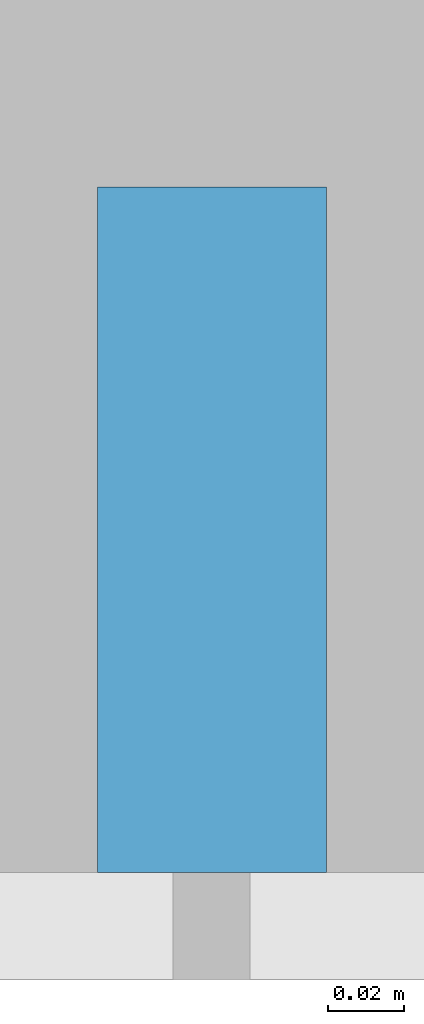
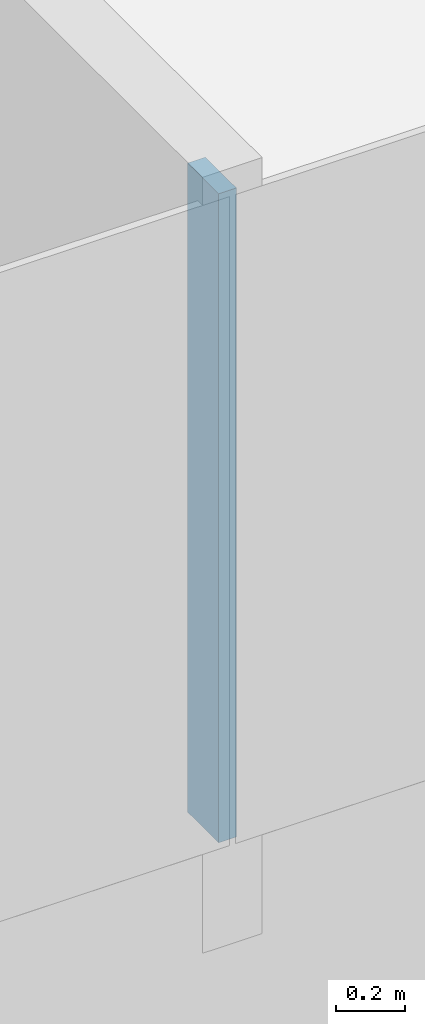
# One storey, part 3 of 26: 1 member, 1 element without a shape of its own.
"""IFC4 building model written with IfcOpenShell, lengths in metres."""

from ifc_helpers import new_model, si_unit, direction, frame, origin, origin_2d, place, context, subcontext, project, spatial, rectangle, extrude, material, layer, layer_set, material_profile, profile_set, type_object, element, aggregate, save


model = new_model("IFC4")

# Units and contexts
model_context = context("Model", 3, precision=1e-05, world=origin(), true_north=direction((0.0, 1.0)))
body_context = subcontext(model_context, "Body", "Model", "MODEL_VIEW")
ifc_project = project(units=[si_unit("LENGTHUNIT", "METRE"), si_unit("AREAUNIT", "SQUARE_METRE"), si_unit("VOLUMEUNIT", "CUBIC_METRE"), si_unit("PLANEANGLEUNIT", "RADIAN"), si_unit("MASSUNIT", "GRAM", prefix="KILO")], contexts=[model_context])

# Site, building, storey
site_placement = place(None, origin())
site = spatial("IfcSite", under=ifc_project, at=site_placement, CompositionType="ELEMENT")
building_placement = place(site_placement, origin())
building = spatial("IfcBuilding", under=site, at=building_placement, Name="Hakoniwa Tower and Hamabe Station Hall", CompositionType="ELEMENT")
storey_placement = place(building_placement, frame((0.0, 0.0, 140.60009765625)))
storey = spatial("IfcBuildingStorey", under=building, at=storey_placement, Name="L39", CompositionType="ELEMENT", Elevation=140.60009765625)

# Curtain wall, member
ifc_material_1 = material(Name="Dark low-e laminated glass", Category="glass")
ifc_layer = layer(ifc_material_1, 0.199951171875)
ifc_layer_set = layer_set([ifc_layer], Name="CW-1 UNITISED GUEST")
curtain_wall_type = type_object("IfcCurtainWallType", Name="CW-1 UNITISED GUEST", PredefinedType="NOTDEFINED", material=ifc_layer_set)
curtain_wall_placement = place(storey_placement, origin())
curtain_wall = element("IfcCurtainWall", 1, at=curtain_wall_placement, inside=storey, type_object=curtain_wall_type, Name="CW-1 curtain wall", PredefinedType="NOTDEFINED")
ifc_material_2 = material(Name="Aluminium 6063-T5 black anodised", Category="aluminium")
ifc_material_profile = material_profile(ifc_material_2, rectangle(XDim=0.06005859375, YDim=0.179931640625, at=origin_2d()), Name="CW-1 MULLION 60X180")
ifc_profile_set = profile_set([ifc_material_profile], Name="Aluminium 6063-T5 black anodised")
member_type = type_object("IfcMemberType", Name="CW-1 MULLION 60X180", PredefinedType="MULLION", material=ifc_profile_set)
member_placement = place(storey_placement, frame((-8.39990234375, -19.181884765625, 0.349853515625), z_axis=(0.0, 0.0, 1.0), x_axis=(1.0, 0.0, 0.0)))
member = element("IfcMember", 2, at=member_placement, type_object=member_type, Name="CW-1 mullion", PredefinedType="MULLION", context=body_context, shape_type="SweptSolid", body=[
    extrude(rectangle(XDim=0.06005859375, YDim=0.179931640625, at=origin_2d()), origin(), (0.0, 0.0, 1.0), 2.300048828125),
])
aggregate(curtain_wall, [member])

save(model, "model.ifc")
